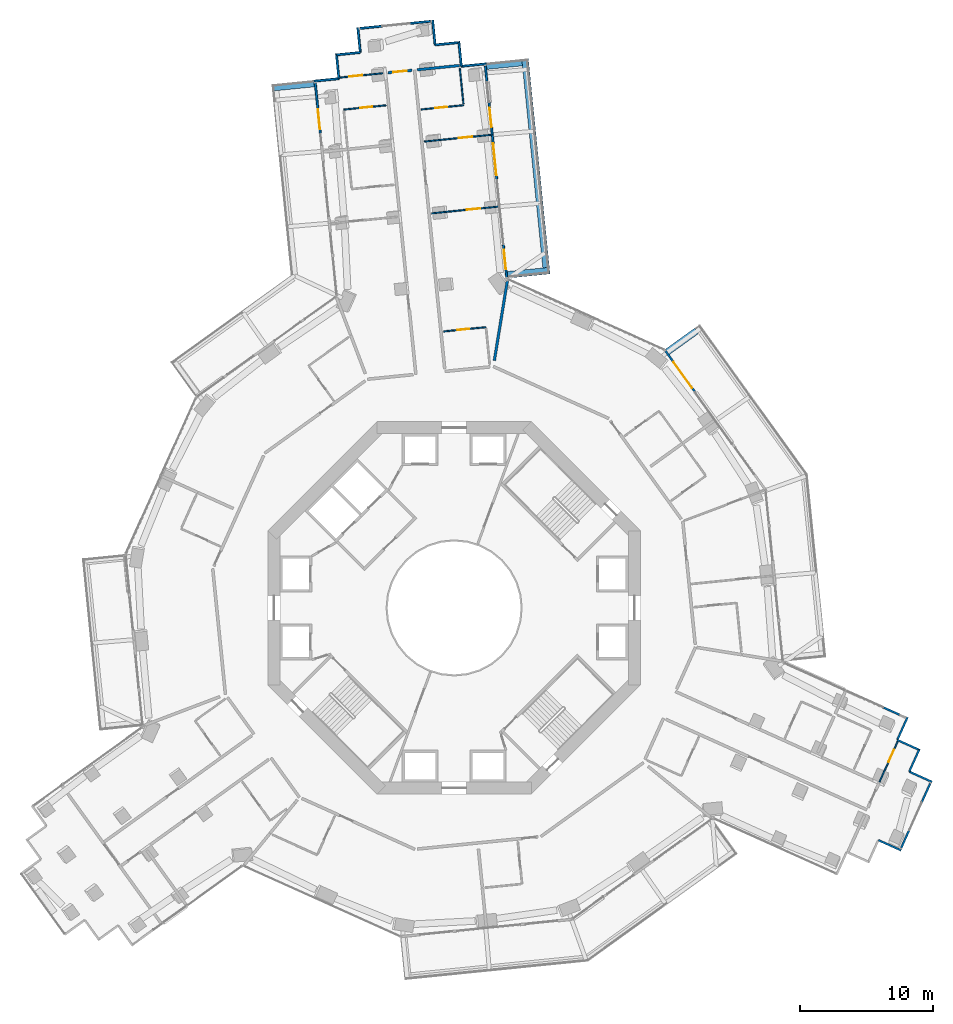
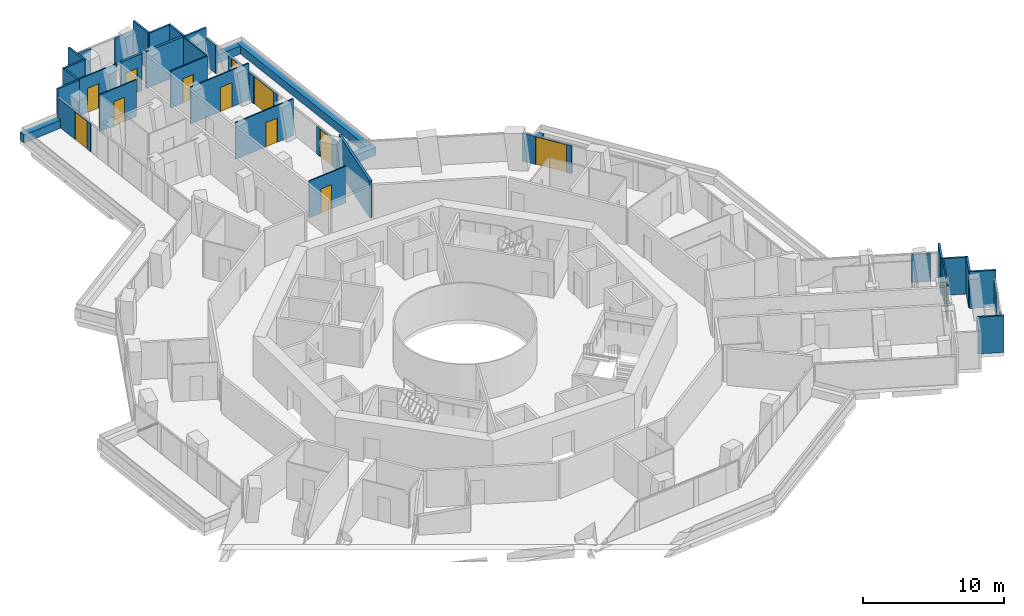
# One storey, part 23 of 26: 40 walls, 13 doors, 13 openings.
"""IFC4 building model written with IfcOpenShell, lengths in metres."""

from ifc_helpers import new_model, si_unit, direction, frame, frame_2d, origin, place, context, subcontext, project, spatial, rectangle, extrude, material, layer, layer_set, type_object, element, fill, save


model = new_model("IFC4")

# Units and contexts
model_context = context("Model", 3, precision=1e-05, world=origin(), true_north=direction((0.0, 1.0)))
body_context = subcontext(model_context, "Body", "Model", "MODEL_VIEW")
ifc_project = project(units=[si_unit("LENGTHUNIT", "METRE"), si_unit("AREAUNIT", "SQUARE_METRE"), si_unit("VOLUMEUNIT", "CUBIC_METRE"), si_unit("PLANEANGLEUNIT", "RADIAN"), si_unit("MASSUNIT", "GRAM", prefix="KILO")], contexts=[model_context])

# Site, building, storey
site_placement = place(None, origin())
site = spatial("IfcSite", under=ifc_project, at=site_placement, CompositionType="ELEMENT")
building_placement = place(site_placement, origin())
building = spatial("IfcBuilding", under=site, at=building_placement, Name="Verdalira Terraces Hotel", CompositionType="ELEMENT")
storey_placement = place(building_placement, frame((0.0, 0.0, 56.5)))
storey = spatial("IfcBuildingStorey", under=building, at=storey_placement, Name="L12", CompositionType="ELEMENT", Elevation=56.5)

# Walls
ifc_material_1 = material(Name="Concrete C40", Category="concrete")
ifc_layer_1 = layer(ifc_material_1, 0.5)
ifc_layer_set_1 = layer_set([ifc_layer_1], Name="Balcony planter trough with tree")
wall_type_1 = type_object("IfcWallType", Name="Balcony planter trough with tree", PredefinedType="SOLIDWALL", material=ifc_layer_set_1)
wall_1_placement = place(storey_placement, frame((-10.510742, 39.42334, 0.0), z_axis=(0.0, 0.0, 1.0), x_axis=(-0.994951439, -0.100357532, 0.0)))
element("IfcWall", 1, at=wall_1_placement, inside=storey, type_object=wall_type_1, Name="Balcony planter", PredefinedType="SOLIDWALL", context=body_context, shape_type="SweptSolid", body=[
    extrude(rectangle(XDim=3.198975, YDim=0.5, at=frame_2d((1.599609, 0.0))), origin(), (0.0, 0.0, 1.0), 0.699951),
])
wall_2_placement = place(storey_placement, frame((18.223389, 20.825928, 0.0), z_axis=(0.0, 0.0, 1.0), x_axis=(-0.811453698, -0.584416714, 0.0)))
element("IfcWall", 2, at=wall_2_placement, inside=storey, type_object=wall_type_1, Name="Balcony planter", PredefinedType="SOLIDWALL", context=body_context, shape_type="SweptSolid", body=[
    extrude(rectangle(XDim=2.698975, YDim=0.5, at=frame_2d((1.349609, 0.0))), origin(), (0.0, 0.0, 1.0), 0.699951),
])
wall_3_placement = place(storey_placement, frame((4.008545, 25.037109, 0.0), z_axis=(0.0, 0.0, 1.0), x_axis=(0.994951439, 0.100357532, 0.0)))
element("IfcWall", 3, at=wall_3_placement, inside=storey, type_object=wall_type_1, Name="Balcony planter", PredefinedType="SOLIDWALL", context=body_context, shape_type="SweptSolid", body=[
    extrude(rectangle(XDim=3.198975, YDim=0.5, at=frame_2d((1.599609, 0.0))), origin(), (0.0, 0.0, 1.0), 0.699951),
])
wall_4_placement = place(storey_placement, frame((6.91748, 25.581787, 0.0), z_axis=(0.0, 0.0, 1.0), x_axis=(-0.100360478, 0.994951142, 0.0)))
element("IfcWall", 4, at=wall_4_placement, inside=storey, type_object=wall_type_1, Name="Balcony planter", PredefinedType="SOLIDWALL", context=body_context, shape_type="SweptSolid", body=[
    extrude(rectangle(XDim=15.770752, YDim=0.5, at=frame_2d((7.885254, 0.0))), origin(), (0.0, 0.0, 1.0), 0.699951),
])
wall_5_placement = place(storey_placement, frame((5.111084, 40.999023, 0.0), z_axis=(0.0, 0.0, 1.0), x_axis=(-0.994955354, -0.10031871, 0.0)))
element("IfcWall", 5, at=wall_5_placement, inside=storey, type_object=wall_type_1, Name="Balcony planter", PredefinedType="SOLIDWALL", context=body_context, shape_type="SweptSolid", body=[
    extrude(rectangle(XDim=2.698975, YDim=0.5, at=frame_2d((1.349609, 0.0))), origin(), (0.0, 0.0, 1.0), 0.699951),
])

# Wall, opening, door
ifc_material_2 = material(Name="Moisture-resistant gypsum board partition")
ifc_layer_2 = layer(ifc_material_2, 0.10009765625)
ifc_layer_set_2 = layer_set([ifc_layer_2], Name="Bathroom partition 100 mm")
wall_type_2 = type_object("IfcWallType", Name="Bathroom partition 100 mm", PredefinedType="PARTITIONING", material=ifc_layer_set_2)
wall_6_placement = place(storey_placement, frame((-5.361084, 40.194092, 0.0), z_axis=(0.0, 0.0, 1.0), x_axis=(-0.994949844, -0.100373345, 0.0)))
wall_6 = element("IfcWall", 6, at=wall_6_placement, inside=storey, type_object=wall_type_2, Name="Bathroom partition", PredefinedType="PARTITIONING", context=body_context, shape_type="SweptSolid", body=[
    extrude(rectangle(XDim=3.251953, YDim=0.100098, at=frame_2d((1.625977, 0.0))), origin(), (0.0, 0.0, 1.0), 3.189941),
])
opening_1_placement = place(wall_6_placement, frame((1.550049, 0.0, 0.0)))
opening_1 = element("IfcOpeningElement", 7, at=opening_1_placement, cuts=wall_6, Name="Opening L12-107", PredefinedType="OPENING", context=body_context, shape_type="SweptSolid", body=[
    extrude(rectangle(XDim=1.0, YDim=2.100098, at=frame_2d((0.5, 1.050049))), frame((0.0, 0.060059, 0.0), z_axis=(0.0, -1.0, 0.0), x_axis=(1.0, 0.0, 0.0)), (0.0, 0.0, 1.0), 0.120117),
])
ifc_material_3 = material(Name="Timber door", Category="wood")
door_type_1 = type_object("IfcDoorType", Name="Suite internal door 1000 x 2100", OperationType="NOTDEFINED", PredefinedType="DOOR", material=ifc_material_3)
door_1_placement = place(opening_1_placement, origin())
door_1 = element("IfcDoor", 8, at=door_1_placement, inside=storey, type_object=door_type_1, Name="Suite internal door 1202", OperationType="SINGLE_SWING_LEFT", OverallHeight=2.10009765625, OverallWidth=1.0, PredefinedType="DOOR", context=body_context, shape_type="SweptSolid", body=[
    extrude(rectangle(XDim=1.0, YDim=2.100098, at=frame_2d((0.5, 1.050049))), frame((0.0, 0.024902, 0.0), z_axis=(0.0, -1.0, 0.0), x_axis=(1.0, 0.0, 0.0)), (0.0, 0.0, 1.0), 0.050049),
])
fill(opening_1, door_1)

wall_7_placement = place(storey_placement, frame((-5.11792, 37.782715, 0.0), z_axis=(0.0, 0.0, 1.0), x_axis=(-0.994946124, -0.100410207, 0.0)))
wall_7 = element("IfcWall", 9, at=wall_7_placement, inside=storey, type_object=wall_type_2, Name="Bathroom partition", PredefinedType="PARTITIONING", context=body_context, shape_type="SweptSolid", body=[
    extrude(rectangle(XDim=3.199707, YDim=0.100098, at=frame_2d((1.599854, 0.0))), origin(), (0.0, 0.0, 1.0), 3.189941),
])
opening_2_placement = place(wall_7_placement, frame((1.050049, 0.0, 0.0)))
opening_2 = element("IfcOpeningElement", 10, at=opening_2_placement, cuts=wall_7, Name="Opening L12-108", PredefinedType="OPENING", context=body_context, shape_type="SweptSolid", body=[
    extrude(rectangle(XDim=0.899902, YDim=2.100098, at=frame_2d((0.449951, 1.050049))), frame((0.0, 0.060059, 0.0), z_axis=(0.0, -1.0, 0.0), x_axis=(1.0, 0.0, 0.0)), (0.0, 0.0, 1.0), 0.120117),
])
ifc_material_4 = material(Name="Timber door", Category="wood")
door_type_2 = type_object("IfcDoorType", Name="Bathroom door 900 x 2100", OperationType="NOTDEFINED", PredefinedType="DOOR", material=ifc_material_4)
door_2_placement = place(opening_2_placement, origin())
door_2 = element("IfcDoor", 11, at=door_2_placement, inside=storey, type_object=door_type_2, Name="Bathroom door 1202", OperationType="SINGLE_SWING_RIGHT", OverallHeight=2.10009765625, OverallWidth=0.89990234375, PredefinedType="DOOR", context=body_context, shape_type="SweptSolid", body=[
    extrude(rectangle(XDim=0.899902, YDim=2.100098, at=frame_2d((0.449951, 1.050049))), frame((0.0, 0.024902, 0.0), z_axis=(0.0, -1.0, 0.0), x_axis=(1.0, 0.0, 0.0)), (0.0, 0.0, 1.0), 0.050049),
])
fill(opening_2, door_2)

wall_8_placement = place(storey_placement, frame((-2.473145, 37.470215, 0.0), z_axis=(0.0, 0.0, 1.0), x_axis=(0.994954512, 0.10032706, 0.0)))
wall_8 = element("IfcWall", 12, at=wall_8_placement, inside=storey, type_object=wall_type_2, Name="Bathroom partition", PredefinedType="PARTITIONING", context=body_context, shape_type="SweptSolid", body=[
    extrude(rectangle(XDim=3.199951, YDim=0.100098, at=frame_2d((1.600098, 0.0))), origin(), (0.0, 0.0, 1.0), 3.189941),
])
opening_3_placement = place(wall_8_placement, frame((1.050049, 0.0, 0.0)))
opening_3 = element("IfcOpeningElement", 13, at=opening_3_placement, cuts=wall_8, Name="Opening L12-105", PredefinedType="OPENING", context=body_context, shape_type="SweptSolid", body=[
    extrude(rectangle(XDim=0.899902, YDim=2.100098, at=frame_2d((0.449951, 1.050049))), frame((0.0, 0.060059, 0.0), z_axis=(0.0, -1.0, 0.0), x_axis=(1.0, 0.0, 0.0)), (0.0, 0.0, 1.0), 0.120117),
])
door_3_placement = place(opening_3_placement, origin())
door_3 = element("IfcDoor", 14, at=door_3_placement, inside=storey, type_object=door_type_2, Name="Bathroom door 1201", OperationType="SINGLE_SWING_RIGHT", OverallHeight=2.10009765625, OverallWidth=0.89990234375, PredefinedType="DOOR", context=body_context, shape_type="SweptSolid", body=[
    extrude(rectangle(XDim=0.899902, YDim=2.100098, at=frame_2d((0.449951, 1.050049))), frame((0.0, 0.024902, 0.0), z_axis=(0.0, -1.0, 0.0), x_axis=(1.0, 0.0, 0.0)), (0.0, 0.0, 1.0), 0.050049),
])
fill(opening_3, door_3)

wall_9_placement = place(storey_placement, frame((-2.229736, 35.058838, 0.0), z_axis=(0.0, 0.0, 1.0), x_axis=(0.994950657, 0.100365285, 0.0)))
wall_9 = element("IfcWall", 15, at=wall_9_placement, inside=storey, type_object=wall_type_2, Name="Bathroom partition", PredefinedType="PARTITIONING", context=body_context, shape_type="SweptSolid", body=[
    extrude(rectangle(XDim=5.049805, YDim=0.100098, at=frame_2d((2.524902, 0.0))), origin(), (0.0, 0.0, 1.0), 3.189941),
])
opening_4_placement = place(wall_9_placement, frame((2.600098, 0.0, 0.0)))
opening_4 = element("IfcOpeningElement", 16, at=opening_4_placement, cuts=wall_9, Name="Opening L12-103", PredefinedType="OPENING", context=body_context, shape_type="SweptSolid", body=[
    extrude(rectangle(XDim=1.0, YDim=2.100098, at=frame_2d((0.5, 1.050049))), frame((0.0, 0.060059, 0.0), z_axis=(0.0, -1.0, 0.0), x_axis=(1.0, 0.0, 0.0)), (0.0, 0.0, 1.0), 0.120117),
])
door_4_placement = place(opening_4_placement, origin())
door_4 = element("IfcDoor", 17, at=door_4_placement, inside=storey, type_object=door_type_1, Name="Suite internal door 1201", OperationType="SINGLE_SWING_LEFT", OverallHeight=2.10009765625, OverallWidth=1.0, PredefinedType="DOOR", context=body_context, shape_type="SweptSolid", body=[
    extrude(rectangle(XDim=1.0, YDim=2.100098, at=frame_2d((0.5, 1.050049))), frame((0.0, 0.024902, 0.0), z_axis=(0.0, -1.0, 0.0), x_axis=(1.0, 0.0, 0.0)), (0.0, 0.0, 1.0), 0.050049),
])
fill(opening_4, door_4)

# Wall
wall_10_placement = place(storey_placement, frame((0.700684, 37.890869, 0.0), z_axis=(0.0, 0.0, 1.0), x_axis=(-0.100372122, 0.994949967, 0.0)))
element("IfcWall", 18, at=wall_10_placement, inside=storey, type_object=wall_type_2, Name="Bathroom partition", PredefinedType="PARTITIONING", context=body_context, shape_type="SweptSolid", body=[
    extrude(rectangle(XDim=2.699951, YDim=0.100098, at=frame_2d((1.350098, 0.0))), origin(), (0.0, 0.0, 1.0), 3.189941),
])

# Wall, opening, door
wall_11_placement = place(storey_placement, frame((2.393799, 21.10498, 0.0), z_axis=(0.0, 0.0, 1.0), x_axis=(-0.994953744, -0.100334676, 0.0)))
wall_11 = element("IfcWall", 19, at=wall_11_placement, inside=storey, type_object=wall_type_2, Name="Bathroom partition", PredefinedType="PARTITIONING", context=body_context, shape_type="SweptSolid", body=[
    extrude(rectangle(XDim=3.199707, YDim=0.100098, at=frame_2d((1.599854, 0.0))), origin(), (0.0, 0.0, 1.0), 3.189941),
])
opening_5_placement = place(wall_11_placement, frame((1.25, 0.0, 0.0)))
opening_5 = element("IfcOpeningElement", 20, at=opening_5_placement, cuts=wall_11, Name="Opening L12-104", PredefinedType="OPENING", context=body_context, shape_type="SweptSolid", body=[
    extrude(rectangle(XDim=0.899902, YDim=2.100098, at=frame_2d((0.449951, 1.050049))), frame((0.0, 0.060059, 0.0), z_axis=(0.0, -1.0, 0.0), x_axis=(1.0, 0.0, 0.0)), (0.0, 0.0, 1.0), 0.120117),
])
door_5_placement = place(opening_5_placement, origin())
door_5 = element("IfcDoor", 21, at=door_5_placement, inside=storey, type_object=door_type_2, Name="Bathroom door 1201", OperationType="SINGLE_SWING_LEFT", OverallHeight=2.10009765625, OverallWidth=0.89990234375, PredefinedType="DOOR", context=body_context, shape_type="SweptSolid", body=[
    extrude(rectangle(XDim=0.899902, YDim=2.100098, at=frame_2d((0.449951, 1.050049))), frame((0.0, 0.024902, 0.0), z_axis=(0.0, -1.0, 0.0), x_axis=(1.0, 0.0, 0.0)), (0.0, 0.0, 1.0), 0.050049),
])
fill(opening_5, door_5)

wall_12_placement = place(storey_placement, frame((3.339111, 30.169434, 0.0), z_axis=(0.0, 0.0, 1.0), x_axis=(-0.994951144, -0.100360457, 0.0)))
wall_12 = element("IfcWall", 22, at=wall_12_placement, inside=storey, type_object=wall_type_2, Name="Bathroom partition", PredefinedType="PARTITIONING", context=body_context, shape_type="SweptSolid", body=[
    extrude(rectangle(XDim=5.050049, YDim=0.100098, at=frame_2d((2.524902, 0.0))), origin(), (0.0, 0.0, 1.0), 3.189941),
])
opening_6_placement = place(wall_12_placement, frame((1.399902, 0.0, 0.0)))
opening_6 = element("IfcOpeningElement", 23, at=opening_6_placement, cuts=wall_12, Name="Opening L12-102", PredefinedType="OPENING", context=body_context, shape_type="SweptSolid", body=[
    extrude(rectangle(XDim=1.0, YDim=2.100098, at=frame_2d((0.5, 1.050049))), frame((0.0, 0.060059, 0.0), z_axis=(0.0, -1.0, 0.0), x_axis=(1.0, 0.0, 0.0)), (0.0, 0.0, 1.0), 0.120117),
])
door_6_placement = place(opening_6_placement, origin())
door_6 = element("IfcDoor", 24, at=door_6_placement, inside=storey, type_object=door_type_1, Name="Suite internal door 1201", OperationType="SINGLE_SWING_LEFT", OverallHeight=2.10009765625, OverallWidth=1.0, PredefinedType="DOOR", context=body_context, shape_type="SweptSolid", body=[
    extrude(rectangle(XDim=1.0, YDim=2.100098, at=frame_2d((0.5, 1.050049))), frame((0.0, 0.024902, 0.0), z_axis=(0.0, -1.0, 0.0), x_axis=(1.0, 0.0, 0.0)), (0.0, 0.0, 1.0), 0.050049),
])
fill(opening_6, door_6)

wall_13_placement = place(storey_placement, frame((31.977539, -13.082031, 0.0), z_axis=(0.0, 0.0, 1.0), x_axis=(0.410573633, 0.911827446, 0.0)))
wall_13 = element("IfcWall", 25, at=wall_13_placement, inside=storey, type_object=wall_type_2, Name="Bathroom partition", PredefinedType="PARTITIONING", context=body_context, shape_type="SweptSolid", body=[
    extrude(rectangle(XDim=3.352051, YDim=0.100098, at=frame_2d((1.676025, 0.0))), origin(), (0.0, 0.0, 1.0), 3.189941),
])
opening_7_placement = place(wall_13_placement, frame((1.649902, 0.0, 0.0)))
opening_7 = element("IfcOpeningElement", 26, at=opening_7_placement, cuts=wall_13, Name="Opening L12-128", PredefinedType="OPENING", context=body_context, shape_type="SweptSolid", body=[
    extrude(rectangle(XDim=1.0, YDim=2.100098, at=frame_2d((0.5, 1.050049))), frame((0.0, 0.060059, 0.0), z_axis=(0.0, -1.0, 0.0), x_axis=(1.0, 0.0, 0.0)), (0.0, 0.0, 1.0), 0.120117),
])
door_7_placement = place(opening_7_placement, origin())
door_7 = element("IfcDoor", 27, at=door_7_placement, inside=storey, type_object=door_type_1, Name="Suite internal door 1212", OperationType="SINGLE_SWING_LEFT", OverallHeight=2.10009765625, OverallWidth=1.0, PredefinedType="DOOR", context=body_context, shape_type="SweptSolid", body=[
    extrude(rectangle(XDim=1.0, YDim=2.100098, at=frame_2d((0.5, 1.050049))), frame((0.0, 0.024902, 0.0), z_axis=(0.0, -1.0, 0.0), x_axis=(1.0, 0.0, 0.0)), (0.0, 0.0, 1.0), 0.050049),
])
fill(opening_7, door_7)

# Walls
ifc_material_5 = material(Name="Fire-rated gypsum board wall")
ifc_layer_3 = layer(ifc_material_5, 0.199951171875)
ifc_layer_set_3 = layer_set([ifc_layer_3], Name="Demising wall 200 mm")
wall_type_3 = type_object("IfcWallType", Name="Demising wall 200 mm", PredefinedType="SOLIDWALL", material=ifc_layer_set_3)
wall_14_placement = place(storey_placement, frame((-2.77417, 40.455078, 0.0), z_axis=(0.0, 0.0, 1.0), x_axis=(0.994954512, 0.10032706, 0.0)))
element("IfcWall", 28, at=wall_14_placement, inside=storey, type_object=wall_type_3, Name="Demising wall", PredefinedType="SOLIDWALL", context=body_context, shape_type="SweptSolid", body=[
    extrude(rectangle(XDim=3.199951, YDim=0.199951, at=frame_2d((1.600098, 0.0))), origin(), (0.0, 0.0, 1.0), 3.189941),
])
wall_15_placement = place(storey_placement, frame((4.008545, 24.640137, 0.0), z_axis=(0.0, 0.0, 1.0), x_axis=(-0.160569165, -0.987024591, 0.0)))
element("IfcWall", 29, at=wall_15_placement, inside=storey, type_object=wall_type_3, Name="Demising wall", PredefinedType="SOLIDWALL", context=body_context, shape_type="SweptSolid", body=[
    extrude(rectangle(XDim=6.13208, YDim=0.199951, at=frame_2d((3.065918, 0.0))), origin(), (0.0, 0.0, 1.0), 3.189941),
])

# Wall, opening, door
ifc_material_6 = material(Name="Fire-rated gypsum board wall")
ifc_layer_4 = layer(ifc_material_6, 0.199951171875)
ifc_layer_set_4 = layer_set([ifc_layer_4], Name="Guest corridor wall 200 mm")
wall_type_4 = type_object("IfcWallType", Name="Guest corridor wall 200 mm", PredefinedType="SOLIDWALL", material=ifc_layer_set_4)
wall_16_placement = place(storey_placement, frame((-4.965088, 40.233887, 0.0), z_axis=(0.0, 0.0, 1.0), x_axis=(0.994948266, 0.100388979, 0.0)))
wall_16 = element("IfcWall", 30, at=wall_16_placement, inside=storey, type_object=wall_type_4, Name="Guest corridor wall", PredefinedType="SOLIDWALL", context=body_context, shape_type="SweptSolid", body=[
    extrude(rectangle(XDim=1.802002, YDim=0.199951, at=frame_2d((0.900879, 0.0))), origin(), (0.0, 0.0, 1.0), 3.189941),
])
opening_8_placement = place(wall_16_placement, frame((0.399902, 0.0, 0.0)))
opening_8 = element("IfcOpeningElement", 31, at=opening_8_placement, cuts=wall_16, Name="Opening L12-106", PredefinedType="OPENING", context=body_context, shape_type="SweptSolid", body=[
    extrude(rectangle(XDim=1.0, YDim=2.100098, at=frame_2d((0.5, 1.050049))), frame((0.0, 0.109863, 0.0), z_axis=(0.0, -1.0, 0.0), x_axis=(1.0, 0.0, 0.0)), (0.0, 0.0, 1.0), 0.219971),
])
ifc_material_7 = material(Name="Timber fire door", Category="wood")
door_type_3 = type_object("IfcDoorType", Name="Guest entry door 1000 x 2100", OperationType="NOTDEFINED", PredefinedType="DOOR", material=ifc_material_7)
door_8_placement = place(opening_8_placement, origin())
door_8 = element("IfcDoor", 32, at=door_8_placement, inside=storey, type_object=door_type_3, Name="Guest entry door 1202", OperationType="SINGLE_SWING_LEFT", OverallHeight=2.10009765625, OverallWidth=1.0, PredefinedType="DOOR", context=body_context, shape_type="SweptSolid", body=[
    extrude(rectangle(XDim=1.0, YDim=2.100098, at=frame_2d((0.5, 1.050049))), frame((0.0, 0.024902, 0.0), z_axis=(0.0, -1.0, 0.0), x_axis=(1.0, 0.0, 0.0)), (0.0, 0.0, 1.0), 0.050049),
])
fill(opening_8, door_8)

# Walls
ifc_material_8 = material(Name="Terracotta cladding", Category="masonry")
ifc_layer_5 = layer(ifc_material_8, 0.14990234375)
ifc_layer_set_5 = layer_set([ifc_layer_5], Name="Terracotta clad wall 150")
wall_type_5 = type_object("IfcWallType", Name="Terracotta clad wall 150", PredefinedType="SOLIDWALL", material=ifc_layer_set_5)
wall_17_placement = place(storey_placement, frame((2.407227, 40.902344, 0.0), z_axis=(0.0, 0.0, 1.0), x_axis=(-0.994949148, -0.10038024, 0.0)))
element("IfcWall", 33, at=wall_17_placement, inside=storey, type_object=wall_type_5, Name="Terracotta cladding wall", PredefinedType="SOLIDWALL", context=body_context, shape_type="SweptSolid", body=[
    extrude(rectangle(XDim=1.875244, YDim=0.149902, at=frame_2d((0.9375, 0.0))), origin(), (0.0, 0.0, 1.0), 3.189941),
])
wall_18_placement = place(storey_placement, frame((0.541504, 40.714111, 0.0), z_axis=(0.0, 0.0, 1.0), x_axis=(-0.100376638, 0.994949512, 0.0)))
element("IfcWall", 34, at=wall_18_placement, inside=storey, type_object=wall_type_5, Name="Terracotta cladding wall", PredefinedType="SOLIDWALL", context=body_context, shape_type="SweptSolid", body=[
    extrude(rectangle(XDim=1.799805, YDim=0.149902, at=frame_2d((0.899902, 0.0))), origin(), (0.0, 0.0, 1.0), 3.189941),
])
for number, where, z_axis, x_axis, name in (
    (35, (0.435547, 42.512451, 0.0), (0.0, 0.0, 1.0), (-0.994960834, -0.100264343, 0.0), "Terracotta cladding wall"),
    (36, (-1.429932, 42.324463, 0.0), (0.0, 0.0, 1.0), (-0.100393245, 0.994947836, 0.0), "Terracotta cladding wall"),
    (37, (-7.239502, 43.622803, 0.0), (0.0, 0.0, 1.0), (0.100264343, -0.994960834, 0.0), "Terracotta cladding wall"),
):
    element("IfcWall", number, at=place(storey_placement, frame(where, z_axis=z_axis, x_axis=x_axis)), inside=storey, type_object=wall_type_5, Name=name, PredefinedType="SOLIDWALL", context=body_context, shape_type="SweptSolid", body=[
        extrude(rectangle(XDim=1.875, YDim=0.149902, at=frame_2d((0.9375, 0.0))), origin(), (0.0, 0.0, 1.0), 3.189941),
    ])
wall_19_placement = place(storey_placement, frame((-7.051514, 41.757324, 0.0), z_axis=(0.0, 0.0, 1.0), x_axis=(-0.994949512, -0.100376638, 0.0)))
element("IfcWall", 38, at=wall_19_placement, inside=storey, type_object=wall_type_5, Name="Terracotta cladding wall", PredefinedType="SOLIDWALL", context=body_context, shape_type="SweptSolid", body=[
    extrude(rectangle(XDim=1.799805, YDim=0.149902, at=frame_2d((0.899902, 0.0))), origin(), (0.0, 0.0, 1.0), 3.189941),
])
for number, where, z_axis, x_axis, name in (
    (39, (-8.849854, 41.651367, 0.0), (0.0, 0.0, 1.0), (0.10038024, -0.994949148, 0.0), "Terracotta cladding wall"),
    (40, (-8.661621, 39.785645, 0.0), (0.0, 0.0, 1.0), (-0.994962143, -0.100251354, 0.0), "Terracotta cladding wall"),
):
    element("IfcWall", number, at=place(storey_placement, frame(where, z_axis=z_axis, x_axis=x_axis)), inside=storey, type_object=wall_type_5, Name=name, PredefinedType="SOLIDWALL", context=body_context, shape_type="SweptSolid", body=[
        extrude(rectangle(XDim=1.875244, YDim=0.149902, at=frame_2d((0.9375, 0.0))), origin(), (0.0, 0.0, 1.0), 3.189941),
    ])
for number, where, z_axis, x_axis, name in (
    (41, (31.897949, -17.460449, 0.0), (0.0, 0.0, 1.0), (0.911841089, -0.410543332, 0.0), "Terracotta cladding wall"),
    (42, (35.927246, -13.078369, 0.0), (0.0, 0.0, 1.0), (-0.911841089, 0.410543332, 0.0), "Terracotta cladding wall"),
):
    element("IfcWall", number, at=place(storey_placement, frame(where, z_axis=z_axis, x_axis=x_axis)), inside=storey, type_object=wall_type_5, Name=name, PredefinedType="SOLIDWALL", context=body_context, shape_type="SweptSolid", body=[
        extrude(rectangle(XDim=1.875, YDim=0.149902, at=frame_2d((0.9375, 0.0))), origin(), (0.0, 0.0, 1.0), 3.189941),
    ])
wall_20_placement = place(storey_placement, frame((34.217529, -12.308594, 0.0), z_axis=(0.0, 0.0, 1.0), x_axis=(0.410550772, 0.91183774, 0.0)))
element("IfcWall", 43, at=wall_20_placement, inside=storey, type_object=wall_type_5, Name="Terracotta cladding wall", PredefinedType="SOLIDWALL", context=body_context, shape_type="SweptSolid", body=[
    extrude(rectangle(XDim=1.800049, YDim=0.149902, at=frame_2d((0.899902, 0.0))), origin(), (0.0, 0.0, 1.0), 3.189941),
])
wall_21_placement = place(storey_placement, frame((35.024902, -10.697998, 0.0), z_axis=(0.0, 0.0, 1.0), x_axis=(-0.91181914, 0.41059208, 0.0)))
element("IfcWall", 44, at=wall_21_placement, inside=storey, type_object=wall_type_5, Name="Terracotta cladding wall", PredefinedType="SOLIDWALL", context=body_context, shape_type="SweptSolid", body=[
    extrude(rectangle(XDim=1.874756, YDim=0.149902, at=frame_2d((0.9375, 0.0))), origin(), (0.0, 0.0, 1.0), 3.189941),
])
wall_22_placement = place(storey_placement, frame((33.31543, -9.928223, 0.0), z_axis=(0.0, 0.0, 1.0), x_axis=(0.410543332, 0.911841089, 0.0)))
element("IfcWall", 45, at=wall_22_placement, inside=storey, type_object=wall_type_5, Name="Terracotta cladding wall", PredefinedType="SOLIDWALL", context=body_context, shape_type="SweptSolid", body=[
    extrude(rectangle(XDim=1.875, YDim=0.149902, at=frame_2d((0.9375, 0.0))), origin(), (0.0, 0.0, 1.0), 3.189941),
])
ifc_material_9 = material(Name="Terracotta cladding", Category="masonry")
ifc_layer_6 = layer(ifc_material_9, 0.14990234375)
ifc_layer_set_6 = layer_set([ifc_layer_6], Name="Terracotta column pier 150")
wall_type_6 = type_object("IfcWallType", Name="Terracotta column pier 150", PredefinedType="SOLIDWALL", material=ifc_layer_set_6)
wall_23_placement = place(storey_placement, frame((2.470947, 39.521729, 0.0), z_axis=(0.0, 0.0, 1.0), x_axis=(-0.100227897, 0.994964506, 0.0)))
element("IfcWall", 46, at=wall_23_placement, inside=storey, type_object=wall_type_6, Name="Terracotta column pier", PredefinedType="SOLIDWALL", context=body_context, shape_type="SweptSolid", body=[
    extrude(rectangle(XDim=1.234863, YDim=0.149902, at=frame_2d((0.617432, 0.0))), origin(), (0.0, 0.0, 1.0), 2.425049),
])
wall_24_placement = place(storey_placement, frame((-1.764893, 44.099609, 0.0), z_axis=(0.0, 0.0, 1.0), x_axis=(-0.99495575, -0.100314787, 0.0)))
element("IfcWall", 47, at=wall_24_placement, inside=storey, type_object=wall_type_6, Name="Terracotta column pier", PredefinedType="SOLIDWALL", context=body_context, shape_type="SweptSolid", body=[
    extrude(rectangle(XDim=1.57959, YDim=0.149902, at=frame_2d((0.789795, 0.0))), origin(), (0.0, 0.0, 1.0), 2.425049),
])
wall_25_placement = place(storey_placement, frame((-5.40625, 43.732422, 0.0), z_axis=(0.0, 0.0, 1.0), x_axis=(-0.994946138, -0.100410075, 0.0)))
element("IfcWall", 48, at=wall_25_placement, inside=storey, type_object=wall_type_6, Name="Terracotta column pier", PredefinedType="SOLIDWALL", context=body_context, shape_type="SweptSolid", body=[
    extrude(rectangle(XDim=1.680176, YDim=0.149902, at=frame_2d((0.840088, 0.0))), origin(), (0.0, 0.0, 1.0), 2.425049),
])
wall_26_placement = place(storey_placement, frame((33.602783, -18.058105, 0.0), z_axis=(0.0, 0.0, 1.0), x_axis=(0.410685302, 0.911777156, 0.0)))
element("IfcWall", 49, at=wall_26_placement, inside=storey, type_object=wall_type_6, Name="Terracotta column pier", PredefinedType="SOLIDWALL", context=body_context, shape_type="SweptSolid", body=[
    extrude(rectangle(XDim=1.488037, YDim=0.149902, at=frame_2d((0.744141, 0.0))), origin(), (0.0, 0.0, 1.0), 2.425049),
])
wall_27_placement = place(storey_placement, frame((35.146484, -14.629639, 0.0), z_axis=(0.0, 0.0, 1.0), x_axis=(0.410563843, 0.911831854, 0.0)))
element("IfcWall", 50, at=wall_27_placement, inside=storey, type_object=wall_type_6, Name="Terracotta column pier", PredefinedType="SOLIDWALL", context=body_context, shape_type="SweptSolid", body=[
    extrude(rectangle(XDim=1.580078, YDim=0.149902, at=frame_2d((0.790039, 0.0))), origin(), (0.0, 0.0, 1.0), 2.425049),
])
wall_28_placement = place(storey_placement, frame((33.484375, -8.030273, 0.0), z_axis=(0.0, 0.0, 1.0), x_axis=(-0.911887981, 0.410439168, 0.0)))
element("IfcWall", 51, at=wall_28_placement, inside=storey, type_object=wall_type_6, Name="Terracotta column pier", PredefinedType="SOLIDWALL", context=body_context, shape_type="SweptSolid", body=[
    extrude(rectangle(XDim=1.362793, YDim=0.149902, at=frame_2d((0.681396, 0.0))), origin(), (0.0, 0.0, 1.0), 2.425049),
])

# Wall, opening, door
ifc_material_10 = material(Name="Terracotta cladding", Category="masonry")
ifc_layer_7 = layer(ifc_material_10, 0.14990234375)
ifc_layer_set_7 = layer_set([ifc_layer_7], Name="Terracotta door pier 150")
wall_type_7 = type_object("IfcWallType", Name="Terracotta door pier 150", PredefinedType="SOLIDWALL", material=ifc_layer_set_7)
wall_29_placement = place(storey_placement, frame((3.950928, 24.850342, 0.0), z_axis=(0.0, 0.0, 1.0), x_axis=(-0.100315267, 0.994955701, 0.0)))
wall_29 = element("IfcWall", 52, at=wall_29_placement, inside=storey, type_object=wall_type_7, Name="Terracotta door pier", PredefinedType="SOLIDWALL", context=body_context, shape_type="SweptSolid", body=[
    extrude(rectangle(XDim=2.501953, YDim=0.149902, at=frame_2d((1.250977, 0.0))), origin(), (0.0, 0.0, 1.0), 2.425049),
])
opening_9_placement = place(wall_29_placement, frame((0.601807, 0.0, 0.0)))
opening_9 = element("IfcOpeningElement", 53, at=opening_9_placement, cuts=wall_29, Name="Opening L12-B01", PredefinedType="OPENING", context=body_context, shape_type="SweptSolid", body=[
    extrude(rectangle(XDim=1.5, YDim=2.399902, at=frame_2d((0.75, 1.199951))), frame((0.0, 0.084961, 0.0), z_axis=(0.0, -1.0, 0.0), x_axis=(1.0, 0.0, 0.0)), (0.0, 0.0, 1.0), 0.169922),
])
ifc_material_11 = material(Name="Clear glass", Category="glass")
door_type_4 = type_object("IfcDoorType", Name="Balcony sliding door 1500x2400", OperationType="NOTDEFINED", PredefinedType="DOOR", material=ifc_material_11)
door_9_placement = place(opening_9_placement, origin())
door_9 = element("IfcDoor", 54, at=door_9_placement, inside=storey, type_object=door_type_4, Name="Balcony sliding door", OperationType="SLIDING_TO_LEFT", OverallHeight=2.39990234375, OverallWidth=1.5, PredefinedType="DOOR", context=body_context, shape_type="SweptSolid", body=[
    extrude(rectangle(XDim=1.5, YDim=2.399902, at=frame_2d((0.75, 1.199951))), frame((0.0, 0.024902, 0.0), z_axis=(0.0, -1.0, 0.0), x_axis=(1.0, 0.0, 0.0)), (0.0, 0.0, 1.0), 0.050049),
])
fill(opening_9, door_9)

wall_30_placement = place(storey_placement, frame((3.215576, 32.141113, 0.0), z_axis=(0.0, 0.0, 1.0), x_axis=(-0.100358585, 0.994951333, 0.0)))
wall_30 = element("IfcWall", 55, at=wall_30_placement, inside=storey, type_object=wall_type_7, Name="Terracotta door pier", PredefinedType="SOLIDWALL", context=body_context, shape_type="SweptSolid", body=[
    extrude(rectangle(XDim=3.449463, YDim=0.149902, at=frame_2d((1.724609, 0.0))), origin(), (0.0, 0.0, 1.0), 2.425049),
])
opening_10_placement = place(wall_30_placement, frame((0.399902, 0.0, 0.0)))
opening_10 = element("IfcOpeningElement", 56, at=opening_10_placement, cuts=wall_30, Name="Opening L12-B02", PredefinedType="OPENING", context=body_context, shape_type="SweptSolid", body=[
    extrude(rectangle(XDim=2.399902, YDim=2.399902, at=frame_2d((1.199951, 1.199951))), frame((0.0, 0.084961, 0.0), z_axis=(0.0, -1.0, 0.0), x_axis=(1.0, 0.0, 0.0)), (0.0, 0.0, 1.0), 0.169922),
])
ifc_material_12 = material(Name="Clear glass", Category="glass")
door_type_5 = type_object("IfcDoorType", Name="Balcony sliding door 2400x2400", OperationType="NOTDEFINED", PredefinedType="DOOR", material=ifc_material_12)
door_10_placement = place(opening_10_placement, origin())
door_10 = element("IfcDoor", 57, at=door_10_placement, inside=storey, type_object=door_type_5, Name="Balcony sliding door", OperationType="SLIDING_TO_RIGHT", OverallHeight=2.39990234375, OverallWidth=2.39990234375, PredefinedType="DOOR", context=body_context, shape_type="SweptSolid", body=[
    extrude(rectangle(XDim=2.399902, YDim=2.399902, at=frame_2d((1.199951, 1.199951))), frame((0.0, 0.024902, 0.0), z_axis=(0.0, -1.0, 0.0), x_axis=(1.0, 0.0, 0.0)), (0.0, 0.0, 1.0), 0.050049),
])
fill(opening_10, door_10)

wall_31_placement = place(storey_placement, frame((2.869385, 35.573242, 0.0), z_axis=(0.0, 0.0, 1.0), x_axis=(-0.100352227, 0.994951974, 0.0)))
wall_31 = element("IfcWall", 58, at=wall_31_placement, inside=storey, type_object=wall_type_7, Name="Terracotta door pier", PredefinedType="SOLIDWALL", context=body_context, shape_type="SweptSolid", body=[
    extrude(rectangle(XDim=2.449951, YDim=0.149902, at=frame_2d((1.225098, 0.0))), origin(), (0.0, 0.0, 1.0), 2.425049),
])
opening_11_placement = place(wall_31_placement, frame((0.550049, 0.0, 0.0)))
opening_11 = element("IfcOpeningElement", 59, at=opening_11_placement, cuts=wall_31, Name="Opening L12-B03", PredefinedType="OPENING", context=body_context, shape_type="SweptSolid", body=[
    extrude(rectangle(XDim=1.5, YDim=2.399902, at=frame_2d((0.75, 1.199951))), frame((0.0, 0.084961, 0.0), z_axis=(0.0, -1.0, 0.0), x_axis=(1.0, 0.0, 0.0)), (0.0, 0.0, 1.0), 0.169922),
])
door_11_placement = place(opening_11_placement, origin())
door_11 = element("IfcDoor", 60, at=door_11_placement, inside=storey, type_object=door_type_4, Name="Balcony sliding door", OperationType="SLIDING_TO_LEFT", OverallHeight=2.39990234375, OverallWidth=1.5, PredefinedType="DOOR", context=body_context, shape_type="SweptSolid", body=[
    extrude(rectangle(XDim=1.5, YDim=2.399902, at=frame_2d((0.75, 1.199951))), frame((0.0, 0.024902, 0.0), z_axis=(0.0, -1.0, 0.0), x_axis=(1.0, 0.0, 0.0)), (0.0, 0.0, 1.0), 0.050049),
])
fill(opening_11, door_11)

wall_32_placement = place(storey_placement, frame((-10.437988, 39.460938, 0.0), z_axis=(0.0, 0.0, 1.0), x_axis=(0.100360723, -0.994951117, 0.0)))
wall_32 = element("IfcWall", 61, at=wall_32_placement, inside=storey, type_object=wall_type_7, Name="Terracotta door pier", PredefinedType="SOLIDWALL", context=body_context, shape_type="SweptSolid", body=[
    extrude(rectangle(XDim=3.89209, YDim=0.149902, at=frame_2d((1.946045, 0.0))), origin(), (0.0, 0.0, 1.0), 2.425049),
])
opening_12_placement = place(wall_32_placement, frame((1.992188, 0.0, 0.0)))
opening_12 = element("IfcOpeningElement", 62, at=opening_12_placement, cuts=wall_32, Name="Opening L12-B04", PredefinedType="OPENING", context=body_context, shape_type="SweptSolid", body=[
    extrude(rectangle(XDim=1.5, YDim=2.399902, at=frame_2d((0.75, 1.199951))), frame((0.0, 0.084961, 0.0), z_axis=(0.0, -1.0, 0.0), x_axis=(1.0, 0.0, 0.0)), (0.0, 0.0, 1.0), 0.169922),
])
door_12_placement = place(opening_12_placement, origin())
door_12 = element("IfcDoor", 63, at=door_12_placement, inside=storey, type_object=door_type_4, Name="Balcony sliding door", OperationType="SLIDING_TO_LEFT", OverallHeight=2.39990234375, OverallWidth=1.5, PredefinedType="DOOR", context=body_context, shape_type="SweptSolid", body=[
    extrude(rectangle(XDim=1.5, YDim=2.399902, at=frame_2d((0.75, 1.199951))), frame((0.0, 0.024902, 0.0), z_axis=(0.0, -1.0, 0.0), x_axis=(1.0, 0.0, 0.0)), (0.0, 0.0, 1.0), 0.050049),
])
fill(opening_12, door_12)

wall_33_placement = place(storey_placement, frame((18.12915, 16.208496, 0.0), z_axis=(0.0, 0.0, 1.0), x_axis=(-0.584431958, 0.811442719, 0.0)))
wall_33 = element("IfcWall", 64, at=wall_33_placement, inside=storey, type_object=wall_type_7, Name="Terracotta door pier", PredefinedType="SOLIDWALL", context=body_context, shape_type="SweptSolid", body=[
    extrude(rectangle(XDim=3.841553, YDim=0.149902, at=frame_2d((1.920898, 0.0))), origin(), (0.0, 0.0, 1.0), 2.425049),
])
opening_13_placement = place(wall_33_placement, frame((0.399902, 0.0, 0.0)))
opening_13 = element("IfcOpeningElement", 65, at=opening_13_placement, cuts=wall_33, Name="Opening L12-B18", PredefinedType="OPENING", context=body_context, shape_type="SweptSolid", body=[
    extrude(rectangle(XDim=2.399902, YDim=2.399902, at=frame_2d((1.199951, 1.199951))), frame((0.0, 0.084961, 0.0), z_axis=(0.0, -1.0, 0.0), x_axis=(1.0, 0.0, 0.0)), (0.0, 0.0, 1.0), 0.169922),
])
door_13_placement = place(opening_13_placement, origin())
door_13 = element("IfcDoor", 66, at=door_13_placement, inside=storey, type_object=door_type_5, Name="Balcony sliding door", OperationType="SLIDING_TO_RIGHT", OverallHeight=2.39990234375, OverallWidth=2.39990234375, PredefinedType="DOOR", context=body_context, shape_type="SweptSolid", body=[
    extrude(rectangle(XDim=2.399902, YDim=2.399902, at=frame_2d((1.199951, 1.199951))), frame((0.0, 0.024902, 0.0), z_axis=(0.0, -1.0, 0.0), x_axis=(1.0, 0.0, 0.0)), (0.0, 0.0, 1.0), 0.050049),
])
fill(opening_13, door_13)

save(model, "model.ifc")
